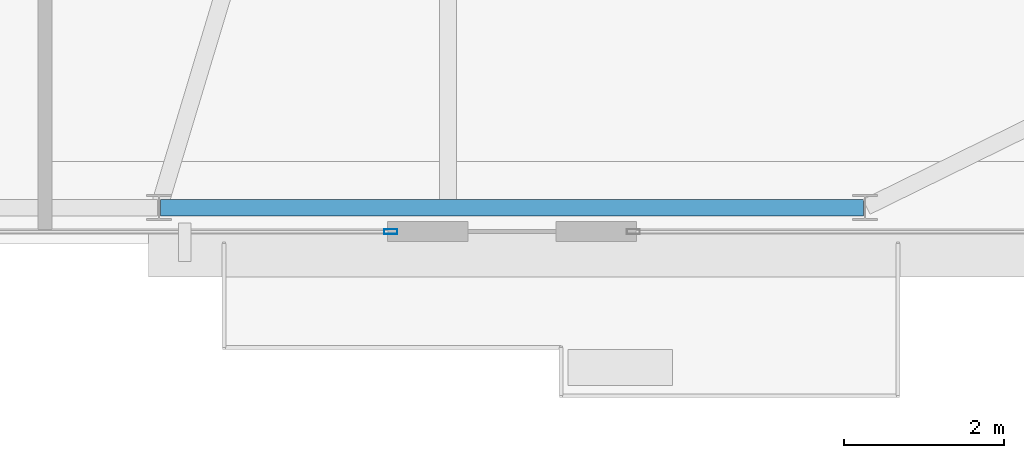
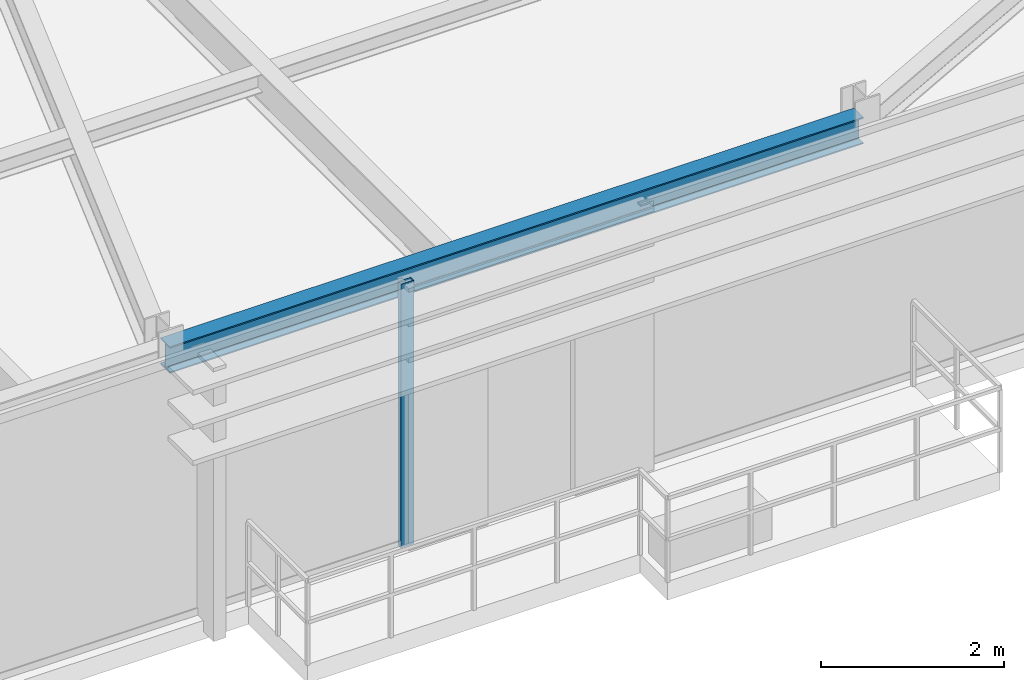
# One storey, part 7 of 21: 1 beam, 1 member, 1 element without a shape of its own.
"""IFC4 building model written with IfcOpenShell, lengths in metres."""

from ifc_helpers import new_model, si_unit, direction, frame, origin, origin_2d, place, context, subcontext, project, spatial, hollow_rectangle, i_section, extrude, source, transform, mapped, material, layer, layer_set, material_profile, profile_set, type_object, type_shapes, element, aggregate, save


model = new_model("IFC4")

# Units and contexts
model_context = context("Model", 3, precision=1e-05, world=origin(), true_north=direction((0.0, 1.0)))
body_context = subcontext(model_context, "Body", "Model", "MODEL_VIEW")
ifc_project = project(units=[si_unit("LENGTHUNIT", "METRE"), si_unit("AREAUNIT", "SQUARE_METRE"), si_unit("VOLUMEUNIT", "CUBIC_METRE"), si_unit("PLANEANGLEUNIT", "RADIAN"), si_unit("MASSUNIT", "GRAM", prefix="KILO")], contexts=[model_context])

# Site, building, storey
site_placement = place(None, origin())
site = spatial("IfcSite", under=ifc_project, at=site_placement, CompositionType="ELEMENT")
building_placement = place(site_placement, origin())
building = spatial("IfcBuilding", under=site, at=building_placement, Name="Varnel Quay Broadcast Tower", CompositionType="ELEMENT")
storey_placement = place(building_placement, frame((0.0, 0.0, 296.39990234375)))
storey = spatial("IfcBuildingStorey", under=building, at=storey_placement, Name="L74", CompositionType="ELEMENT", Elevation=296.39990234375)

# Beam
ifc_material_1 = material(Name="Structural Steel CSA G40.21 350W", Category="steel")
ifc_material_profile_1 = material_profile(ifc_material_1, i_section(OverallWidth=0.205078125, OverallDepth=0.35400390625, WebThickness=0.009521484375, FlangeThickness=0.016845703125, FilletRadius=0.012939453125, at=origin_2d()), Name="W360X79")
ifc_profile_set_1 = profile_set([ifc_material_profile_1], Name="Structural Steel CSA G40.21 350W")
beam_type = type_object("IfcBeamType", Name="Beam_W360X79", PredefinedType="SPANDREL", material=ifc_profile_set_1)
shared_shape_1 = source(origin(), body_context, "Body", "SweptSolid", [
    extrude(i_section(OverallWidth=0.205078125, OverallDepth=0.35400390625, WebThickness=0.009521484375, FlangeThickness=0.016845703125, FilletRadius=0.012939453125, at=origin_2d()), origin(), (0.0, 0.0, 1.0), 8.760009765625),
])
type_shapes(beam_type, [shared_shape_1])
beam_placement = place(storey_placement, frame((38.419921875, 13.64990234375, 3.343017578125), z_axis=(1.0, 0.0, 0.0), x_axis=(0.0, 1.0, 0.0)))
element("IfcBeam", 1, at=beam_placement, inside=storey, type_object=beam_type, Name="L74 South Spandrel TC-S3-TC-S4", PredefinedType="SPANDREL", context=body_context, shape_type="MappedRepresentation", body=[
    mapped(shared_shape_1, transform((0.0, 0.0, 0.0), x_axis=(1.0, 0.0, 0.0), y_axis=(0.0, 1.0, 0.0), z_axis=(0.0, 0.0, 1.0), scale=1.0)),
])

# Curtain wall, member
ifc_material_2 = material(Name="Anodised Bronze Aluminium 6063-T6", Category="aluminium")
ifc_layer = layer(ifc_material_2, 0.18994140625, Name="Anodised Bronze Aluminium 6063-T6")
ifc_layer_set = layer_set([ifc_layer], Name="Anodised Bronze Aluminium 6063-T6")
curtain_wall_type = type_object("IfcCurtainWallType", Name="CW_UpperTower", PredefinedType="NOTDEFINED", material=ifc_layer_set)
curtain_wall_placement = place(storey_placement, origin())
curtain_wall = element("IfcCurtainWall", 2, at=curtain_wall_placement, inside=storey, type_object=curtain_wall_type, Name="L74 South Unitised Curtain Wall 2", PredefinedType="NOTDEFINED")
ifc_material_profile_2 = material_profile(ifc_material_2, hollow_rectangle(XDim=0.06494140625, YDim=0.1650390625, WallThickness=0.00341796875, at=origin_2d()), Name="ALU65X165X3.5")
ifc_profile_set_2 = profile_set([ifc_material_profile_2], Name="Anodised Bronze Aluminium 6063-T6")
member_type = type_object("IfcMemberType", Name="Mull_CWS-03", PredefinedType="MULLION", material=ifc_profile_set_2)
shared_shape_2 = source(origin(), body_context, "Body", "SweptSolid", [
    extrude(hollow_rectangle(XDim=0.06494140625, YDim=0.1650390625, WallThickness=0.00341796875, at=origin_2d()), origin(), (0.0, 0.0, 1.0), 3.52001953125),
])
type_shapes(member_type, [shared_shape_2])
member_placement = place(storey_placement, frame((41.28759765625, 13.35009765625, 0.0), z_axis=(0.0, 0.0, 1.0), x_axis=(0.0, 1.0, 0.0)))
member = element("IfcMember", 3, at=member_placement, type_object=member_type, Name="CWS-03 mullion 2", PredefinedType="MULLION", context=body_context, shape_type="MappedRepresentation", body=[
    mapped(shared_shape_2, transform((0.0, 0.0, 0.0), x_axis=(1.0, 0.0, 0.0), y_axis=(0.0, 1.0, 0.0), z_axis=(0.0, 0.0, 1.0), scale=1.0)),
])
aggregate(curtain_wall, [member])

save(model, "model.ifc")
